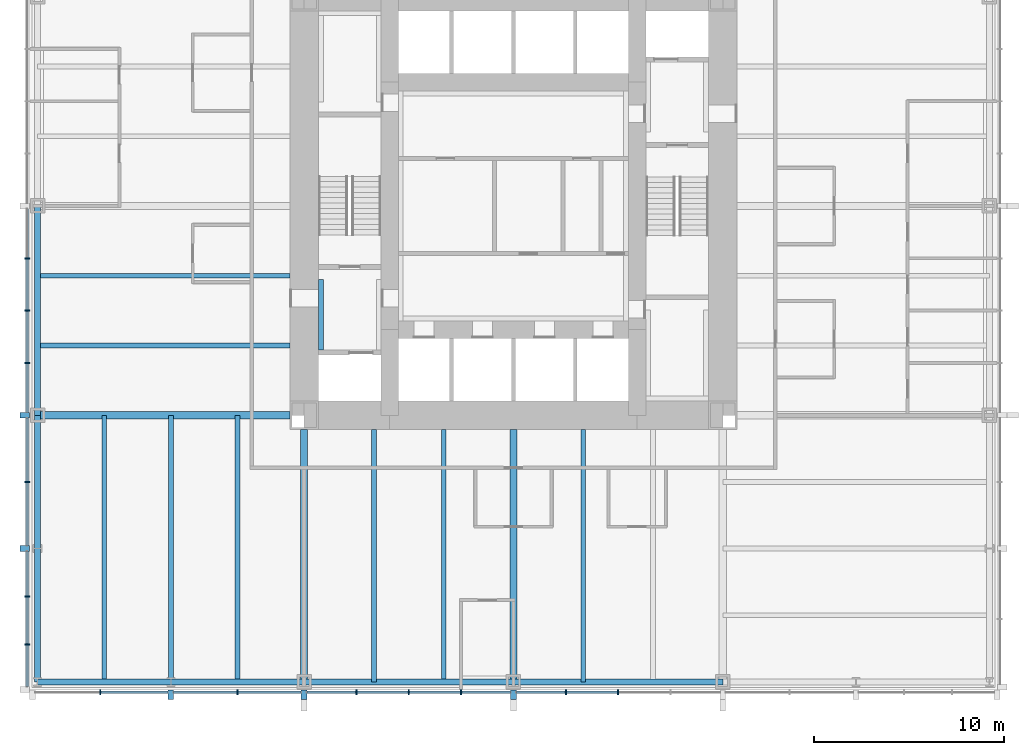
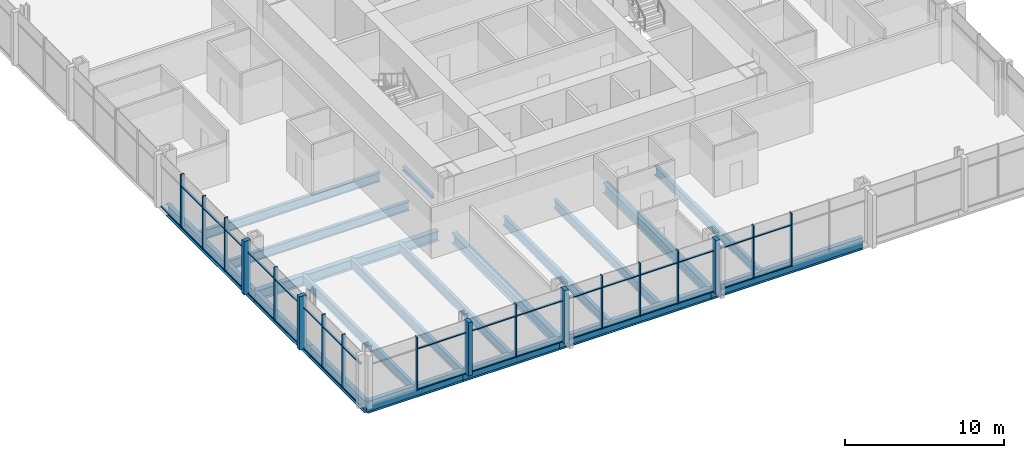
# One storey, part 2 of 12: 53 members, 19 beams, 2 elements without a shape of their own.
"""IFC4 building model written with IfcOpenShell, lengths in metres."""

from ifc_helpers import new_model, si_unit, direction, frame, origin, origin_2d, place, context, subcontext, project, spatial, rectangle, i_section, extrude, material, material_profile, profile_set, type_object, element, aggregate, save


model = new_model("IFC4")

# Units and contexts
model_context = context("Model", 3, precision=1e-05, world=origin(), true_north=direction((0.0, 1.0)))
body_context = subcontext(model_context, "Body", "Model", "MODEL_VIEW")
ifc_project = project(units=[si_unit("LENGTHUNIT", "METRE"), si_unit("AREAUNIT", "SQUARE_METRE"), si_unit("VOLUMEUNIT", "CUBIC_METRE"), si_unit("PLANEANGLEUNIT", "RADIAN"), si_unit("MASSUNIT", "GRAM", prefix="KILO")], contexts=[model_context])

# Site, building, storey
site_placement = place(None, origin())
site = spatial("IfcSite", under=ifc_project, at=site_placement, CompositionType="ELEMENT")
building_placement = place(site_placement, origin())
building = spatial("IfcBuilding", under=site, at=building_placement, Name="Trevanion Tower", CompositionType="ELEMENT")
storey_placement = place(building_placement, frame((0.0, 0.0, 36.5)))
storey = spatial("IfcBuildingStorey", under=building, at=storey_placement, Name="L08", CompositionType="ELEMENT", Elevation=36.5)

# Beams
ifc_material_1 = material(Name="Steel ASTM A992 Grade 50", Category="steel")
ifc_material_profile_1 = material_profile(ifc_material_1, i_section(OverallWidth=0.25390625, OverallDepth=0.700927734375, WebThickness=0.015380859375, FlangeThickness=0.02783203125, at=origin_2d()), Name="W27X129")
ifc_profile_set_1 = profile_set([ifc_material_profile_1], Name="Steel ASTM A992 Grade 50")
beam_type_1 = type_object("IfcBeamType", Name="B3 W27X129", PredefinedType="BEAM", material=ifc_profile_set_1)
for number, where, z_axis, x_axis, name in (
    (1, (-11.75, -3.666748046875, -0.54052734375), (-1.0, 0.0, 0.0), (0.0, -1.0, 0.0), "B3 L08"),
    (2, (-11.75, -7.333251953125, -0.54052734375), (-1.0, 0.0, 0.0), (0.0, -1.0, 0.0), "B3 L08"),
    (3, (-7.333251953125, -11.75, -0.54052734375), (0.0, -1.0, 0.0), (1.0, 0.0, 0.0), "B3 L08"),
    (4, (-3.666748046875, -11.75, -0.54052734375), (0.0, -1.0, 0.0), (1.0, 0.0, 0.0), "B3 L08"),
    (5, (3.666748046875, -11.75, -0.54052734375), (0.0, -1.0, 0.0), (1.0, 0.0, 0.0), "B3 L08"),
):
    element("IfcBeam", number, at=place(storey_placement, frame(where, z_axis=z_axis, x_axis=x_axis)), inside=storey, type_object=beam_type_1, Name=name, PredefinedType="BEAM", context=body_context, shape_type="SweptSolid", body=[
        extrude(i_section(OverallWidth=0.25390625, OverallDepth=0.700927734375, WebThickness=0.015380859375, FlangeThickness=0.02783203125, at=origin_2d()), origin(), (0.0, 0.0, 1.0), 13.25),
    ])
ifc_material_2 = material(Name="Steel ASTM A992 Grade 50", Category="steel")
ifc_material_profile_2 = material_profile(ifc_material_2, i_section(OverallWidth=0.256591796875, OverallDepth=0.693359375, WebThickness=0.014404296875, FlangeThickness=0.023681640625, at=origin_2d()), Name="W27X114")
ifc_profile_set_2 = profile_set([ifc_material_profile_2], Name="Steel ASTM A992 Grade 50")
beam_type_2 = type_object("IfcBeamType", Name="B4 W27X114", PredefinedType="BEAM", material=ifc_profile_set_2)
for number, where, z_axis, x_axis, name in (
    (6, (-14.5, -11.0, -0.53662109375), (0.0, -1.0, 0.0), (1.0, 0.0, 0.0), "B4 L08"),
    (7, (-18.0, -11.0, -0.53662109375), (0.0, -1.0, 0.0), (1.0, 0.0, 0.0), "B4 L08"),
    (8, (-21.5, -11.0, -0.53662109375), (0.0, -1.0, 0.0), (1.0, 0.0, 0.0), "B4 L08"),
):
    element("IfcBeam", number, at=place(storey_placement, frame(where, z_axis=z_axis, x_axis=x_axis)), inside=storey, type_object=beam_type_2, Name=name, PredefinedType="BEAM", context=body_context, shape_type="SweptSolid", body=[
        extrude(i_section(OverallWidth=0.256591796875, OverallDepth=0.693359375, WebThickness=0.014404296875, FlangeThickness=0.023681640625, at=origin_2d()), origin(), (0.0, 0.0, 1.0), 14.0),
    ])

# Curtain wall, members
ifc_material_3 = material(Name="Aluminium and glass", Category="aluminium")
curtain_wall_type = type_object("IfcCurtainWallType", Name="CW1 curtain wall", PredefinedType="USERDEFINED", material=ifc_material_3)
curtain_wall_1_placement = place(storey_placement, origin())
curtain_wall_1 = element("IfcCurtainWall", 9, at=curtain_wall_1_placement, inside=storey, type_object=curtain_wall_type, Name="CW1 L08 2", ObjectType="UNITISED CURTAIN WALL", PredefinedType="USERDEFINED")
ifc_material_4 = material(Name="Aluminium extrusion, anodised bronze", Category="aluminium")
ifc_material_profile_3 = material_profile(ifc_material_4, rectangle(XDim=0.074951171875, YDim=0.25, at=origin_2d()), Name="CW1 mullion")
ifc_profile_set_3 = profile_set([ifc_material_profile_3], Name="Aluminium extrusion, anodised bronze")
member_type_1 = type_object("IfcMemberType", Name="CW1 mullion", PredefinedType="MULLION", material=ifc_profile_set_3)
member_1_placement = place(storey_placement, frame((-25.550048828125, -2.75, -0.18994140625), z_axis=(0.0, 0.0, 1.0), x_axis=(0.0, -1.0, 0.0)))
member_1 = element("IfcMember", 10, at=member_1_placement, type_object=member_type_1, Name="CW1 mullion 10", PredefinedType="MULLION", context=body_context, shape_type="SweptSolid", body=[
    extrude(rectangle(XDim=0.074951171875, YDim=0.25, at=origin_2d()), origin(), (0.0, 0.0, 1.0), 4.099853515625),
])
member_2_placement = place(storey_placement, frame((-25.550048828125, -5.5, -0.18994140625), z_axis=(0.0, 0.0, 1.0), x_axis=(0.0, -1.0, 0.0)))
member_2 = element("IfcMember", 11, at=member_2_placement, type_object=member_type_1, Name="CW1 mullion 11", PredefinedType="MULLION", context=body_context, shape_type="SweptSolid", body=[
    extrude(rectangle(XDim=0.074951171875, YDim=0.25, at=origin_2d()), origin(), (0.0, 0.0, 1.0), 4.099853515625),
])
member_3_placement = place(storey_placement, frame((-25.550048828125, -8.25, -0.18994140625), z_axis=(0.0, 0.0, 1.0), x_axis=(0.0, -1.0, 0.0)))
member_3 = element("IfcMember", 12, at=member_3_placement, type_object=member_type_1, Name="CW1 mullion 12", PredefinedType="MULLION", context=body_context, shape_type="SweptSolid", body=[
    extrude(rectangle(XDim=0.074951171875, YDim=0.25, at=origin_2d()), origin(), (0.0, 0.0, 1.0), 4.099853515625),
])
member_4_placement = place(storey_placement, frame((-25.550048828125, -14.5, -0.18994140625), z_axis=(0.0, 0.0, 1.0), x_axis=(0.0, -1.0, 0.0)))
member_4 = element("IfcMember", 13, at=member_4_placement, type_object=member_type_1, Name="CW1 mullion 14", PredefinedType="MULLION", context=body_context, shape_type="SweptSolid", body=[
    extrude(rectangle(XDim=0.074951171875, YDim=0.25, at=origin_2d()), origin(), (0.0, 0.0, 1.0), 4.099853515625),
])
member_5_placement = place(storey_placement, frame((-25.550048828125, -20.5166015625, -0.18994140625), z_axis=(0.0, 0.0, 1.0), x_axis=(0.0, -1.0, 0.0)))
member_5 = element("IfcMember", 14, at=member_5_placement, type_object=member_type_1, Name="CW1 mullion 16", PredefinedType="MULLION", context=body_context, shape_type="SweptSolid", body=[
    extrude(rectangle(XDim=0.074951171875, YDim=0.25, at=origin_2d()), origin(), (0.0, 0.0, 1.0), 4.099853515625),
])
member_6_placement = place(storey_placement, frame((-25.550048828125, -23.033203125, -0.18994140625), z_axis=(0.0, 0.0, 1.0), x_axis=(0.0, -1.0, 0.0)))
member_6 = element("IfcMember", 15, at=member_6_placement, type_object=member_type_1, Name="CW1 mullion 17", PredefinedType="MULLION", context=body_context, shape_type="SweptSolid", body=[
    extrude(rectangle(XDim=0.074951171875, YDim=0.25, at=origin_2d()), origin(), (0.0, 0.0, 1.0), 4.099853515625),
])

curtain_wall_2_placement = place(storey_placement, origin())
curtain_wall_2 = element("IfcCurtainWall", 16, at=curtain_wall_2_placement, inside=storey, type_object=curtain_wall_type, Name="CW1 L08 3", ObjectType="UNITISED CURTAIN WALL", PredefinedType="USERDEFINED")
member_7_placement = place(storey_placement, frame((-21.7099609375, -25.550048828125, -0.18994140625), z_axis=(0.0, 0.0, 1.0), x_axis=(1.0, 0.0, 0.0)))
member_7 = element("IfcMember", 17, at=member_7_placement, type_object=member_type_1, Name="CW1 mullion 2", PredefinedType="MULLION", context=body_context, shape_type="SweptSolid", body=[
    extrude(rectangle(XDim=0.074951171875, YDim=0.25, at=origin_2d()), origin(), (0.0, 0.0, 1.0), 4.099853515625),
])
member_8_placement = place(storey_placement, frame((-14.5, -25.550048828125, -0.18994140625), z_axis=(0.0, 0.0, 1.0), x_axis=(1.0, 0.0, 0.0)))
member_8 = element("IfcMember", 18, at=member_8_placement, type_object=member_type_1, Name="CW1 mullion 4", PredefinedType="MULLION", context=body_context, shape_type="SweptSolid", body=[
    extrude(rectangle(XDim=0.074951171875, YDim=0.25, at=origin_2d()), origin(), (0.0, 0.0, 1.0), 4.099853515625),
])
member_9_placement = place(storey_placement, frame((-8.25, -25.550048828125, -0.18994140625), z_axis=(0.0, 0.0, 1.0), x_axis=(1.0, 0.0, 0.0)))
member_9 = element("IfcMember", 19, at=member_9_placement, type_object=member_type_1, Name="CW1 mullion 6", PredefinedType="MULLION", context=body_context, shape_type="SweptSolid", body=[
    extrude(rectangle(XDim=0.074951171875, YDim=0.25, at=origin_2d()), origin(), (0.0, 0.0, 1.0), 4.099853515625),
])
member_10_placement = place(storey_placement, frame((-5.5, -25.550048828125, -0.18994140625), z_axis=(0.0, 0.0, 1.0), x_axis=(1.0, 0.0, 0.0)))
member_10 = element("IfcMember", 20, at=member_10_placement, type_object=member_type_1, Name="CW1 mullion 7", PredefinedType="MULLION", context=body_context, shape_type="SweptSolid", body=[
    extrude(rectangle(XDim=0.074951171875, YDim=0.25, at=origin_2d()), origin(), (0.0, 0.0, 1.0), 4.099853515625),
])
member_11_placement = place(storey_placement, frame((-2.75, -25.550048828125, -0.18994140625), z_axis=(0.0, 0.0, 1.0), x_axis=(1.0, 0.0, 0.0)))
member_11 = element("IfcMember", 21, at=member_11_placement, type_object=member_type_1, Name="CW1 mullion 8", PredefinedType="MULLION", context=body_context, shape_type="SweptSolid", body=[
    extrude(rectangle(XDim=0.074951171875, YDim=0.25, at=origin_2d()), origin(), (0.0, 0.0, 1.0), 4.099853515625),
])
member_12_placement = place(storey_placement, frame((2.75, -25.550048828125, -0.18994140625), z_axis=(0.0, 0.0, 1.0), x_axis=(1.0, 0.0, 0.0)))
member_12 = element("IfcMember", 22, at=member_12_placement, type_object=member_type_1, Name="CW1 mullion 10", PredefinedType="MULLION", context=body_context, shape_type="SweptSolid", body=[
    extrude(rectangle(XDim=0.074951171875, YDim=0.25, at=origin_2d()), origin(), (0.0, 0.0, 1.0), 4.099853515625),
])
member_13_placement = place(storey_placement, frame((5.5, -25.550048828125, -0.18994140625), z_axis=(0.0, 0.0, 1.0), x_axis=(1.0, 0.0, 0.0)))
member_13 = element("IfcMember", 23, at=member_13_placement, type_object=member_type_1, Name="CW1 mullion 11", PredefinedType="MULLION", context=body_context, shape_type="SweptSolid", body=[
    extrude(rectangle(XDim=0.074951171875, YDim=0.25, at=origin_2d()), origin(), (0.0, 0.0, 1.0), 4.099853515625),
])

# Member
ifc_material_5 = material(Name="Aluminium extrusion, anodised bronze", Category="aluminium")
ifc_material_profile_4 = material_profile(ifc_material_5, rectangle(XDim=0.300048828125, YDim=0.5, at=origin_2d()), Name="CW1 pier mullion")
ifc_profile_set_4 = profile_set([ifc_material_profile_4], Name="Aluminium extrusion, anodised bronze")
member_type_2 = type_object("IfcMemberType", Name="CW1 pier mullion", PredefinedType="MULLION", material=ifc_profile_set_4)
member_14_placement = place(storey_placement, frame((-25.675048828125, -11.0, -0.18994140625), z_axis=(0.0, 0.0, 1.0), x_axis=(0.0, -1.0, 0.0)))
member_14 = element("IfcMember", 24, at=member_14_placement, type_object=member_type_2, Name="CW1 pier mullion 13", PredefinedType="MULLION", context=body_context, shape_type="SweptSolid", body=[
    extrude(rectangle(XDim=0.300048828125, YDim=0.5, at=origin_2d()), origin(), (0.0, 0.0, 1.0), 4.099853515625),
])

member_15_placement = place(storey_placement, frame((-25.675048828125, -18.0, -0.18994140625), z_axis=(0.0, 0.0, 1.0), x_axis=(0.0, -1.0, 0.0)))
member_15 = element("IfcMember", 25, at=member_15_placement, type_object=member_type_2, Name="CW1 pier mullion 15", PredefinedType="MULLION", context=body_context, shape_type="SweptSolid", body=[
    extrude(rectangle(XDim=0.300048828125, YDim=0.5, at=origin_2d()), origin(), (0.0, 0.0, 1.0), 4.099853515625),
])

member_16_placement = place(storey_placement, frame((-18.0, -25.675048828125, -0.18994140625), z_axis=(0.0, 0.0, 1.0), x_axis=(1.0, 0.0, 0.0)))
member_16 = element("IfcMember", 26, at=member_16_placement, type_object=member_type_2, Name="CW1 pier mullion 3", PredefinedType="MULLION", context=body_context, shape_type="SweptSolid", body=[
    extrude(rectangle(XDim=0.300048828125, YDim=0.5, at=origin_2d()), origin(), (0.0, 0.0, 1.0), 4.099853515625),
])

member_17_placement = place(storey_placement, frame((-11.0, -25.675048828125, -0.18994140625), z_axis=(0.0, 0.0, 1.0), x_axis=(1.0, 0.0, 0.0)))
member_17 = element("IfcMember", 27, at=member_17_placement, type_object=member_type_2, Name="CW1 pier mullion 5", PredefinedType="MULLION", context=body_context, shape_type="SweptSolid", body=[
    extrude(rectangle(XDim=0.300048828125, YDim=0.5, at=origin_2d()), origin(), (0.0, 0.0, 1.0), 4.099853515625),
])

member_18_placement = place(storey_placement, frame((0.0, -25.675048828125, -0.18994140625), z_axis=(0.0, 0.0, 1.0), x_axis=(1.0, 0.0, 0.0)))
member_18 = element("IfcMember", 28, at=member_18_placement, type_object=member_type_2, Name="CW1 pier mullion 9", PredefinedType="MULLION", context=body_context, shape_type="SweptSolid", body=[
    extrude(rectangle(XDim=0.300048828125, YDim=0.5, at=origin_2d()), origin(), (0.0, 0.0, 1.0), 4.099853515625),
])

ifc_material_6 = material(Name="Aluminium extrusion, anodised bronze", Category="aluminium")
ifc_material_profile_5 = material_profile(ifc_material_6, rectangle(XDim=0.14990234375, YDim=0.074951171875, at=origin_2d()), Name="CW1 transom")
ifc_profile_set_5 = profile_set([ifc_material_profile_5], Name="Aluminium extrusion, anodised bronze")
member_type_3 = type_object("IfcMemberType", Name="CW1 transom", PredefinedType="USERDEFINED", material=ifc_profile_set_5)
member_19_placement = place(storey_placement, frame((-25.550048828125, -0.14990234375, -0.152587890625), z_axis=(0.0, -1.0, 0.0), x_axis=(1.0, 0.0, 0.0)))
member_19 = element("IfcMember", 29, at=member_19_placement, type_object=member_type_3, Name="CW1 transom 9.1", ObjectType="TRANSOM", PredefinedType="USERDEFINED", context=body_context, shape_type="SweptSolid", body=[
    extrude(rectangle(XDim=0.14990234375, YDim=0.074951171875, at=origin_2d()), origin(), (0.0, 0.0, 1.0), 2.5625),
])

member_20_placement = place(storey_placement, frame((-25.550048828125, -2.78759765625, -0.152587890625), z_axis=(0.0, -1.0, 0.0), x_axis=(1.0, 0.0, 0.0)))
member_20 = element("IfcMember", 30, at=member_20_placement, type_object=member_type_3, Name="CW1 transom 10.1", ObjectType="TRANSOM", PredefinedType="USERDEFINED", context=body_context, shape_type="SweptSolid", body=[
    extrude(rectangle(XDim=0.14990234375, YDim=0.074951171875, at=origin_2d()), origin(), (0.0, 0.0, 1.0), 2.6748046875),
])

member_21_placement = place(storey_placement, frame((-25.550048828125, -2.78759765625, 2.9599609375), z_axis=(0.0, -1.0, 0.0), x_axis=(1.0, 0.0, 0.0)))
member_21 = element("IfcMember", 31, at=member_21_placement, type_object=member_type_3, Name="CW1 transom 10.2", ObjectType="TRANSOM", PredefinedType="USERDEFINED", context=body_context, shape_type="SweptSolid", body=[
    extrude(rectangle(XDim=0.14990234375, YDim=0.074951171875, at=origin_2d()), origin(), (0.0, 0.0, 1.0), 2.6748046875),
])

member_22_placement = place(storey_placement, frame((-25.550048828125, -5.53759765625, -0.152587890625), z_axis=(0.0, -1.0, 0.0), x_axis=(1.0, 0.0, 0.0)))
member_22 = element("IfcMember", 32, at=member_22_placement, type_object=member_type_3, Name="CW1 transom 11.1", ObjectType="TRANSOM", PredefinedType="USERDEFINED", context=body_context, shape_type="SweptSolid", body=[
    extrude(rectangle(XDim=0.14990234375, YDim=0.074951171875, at=origin_2d()), origin(), (0.0, 0.0, 1.0), 2.6748046875),
])

member_23_placement = place(storey_placement, frame((-25.550048828125, -5.53759765625, 2.9599609375), z_axis=(0.0, -1.0, 0.0), x_axis=(1.0, 0.0, 0.0)))
member_23 = element("IfcMember", 33, at=member_23_placement, type_object=member_type_3, Name="CW1 transom 11.2", ObjectType="TRANSOM", PredefinedType="USERDEFINED", context=body_context, shape_type="SweptSolid", body=[
    extrude(rectangle(XDim=0.14990234375, YDim=0.074951171875, at=origin_2d()), origin(), (0.0, 0.0, 1.0), 2.6748046875),
])

member_24_placement = place(storey_placement, frame((-25.550048828125, -8.28759765625, -0.152587890625), z_axis=(0.0, -1.0, 0.0), x_axis=(1.0, 0.0, 0.0)))
member_24 = element("IfcMember", 34, at=member_24_placement, type_object=member_type_3, Name="CW1 transom 12.1", ObjectType="TRANSOM", PredefinedType="USERDEFINED", context=body_context, shape_type="SweptSolid", body=[
    extrude(rectangle(XDim=0.14990234375, YDim=0.074951171875, at=origin_2d()), origin(), (0.0, 0.0, 1.0), 2.5625),
])

member_25_placement = place(storey_placement, frame((-25.550048828125, -8.28759765625, 2.9599609375), z_axis=(0.0, -1.0, 0.0), x_axis=(1.0, 0.0, 0.0)))
member_25 = element("IfcMember", 35, at=member_25_placement, type_object=member_type_3, Name="CW1 transom 12.2", ObjectType="TRANSOM", PredefinedType="USERDEFINED", context=body_context, shape_type="SweptSolid", body=[
    extrude(rectangle(XDim=0.14990234375, YDim=0.074951171875, at=origin_2d()), origin(), (0.0, 0.0, 1.0), 2.5625),
])

member_26_placement = place(storey_placement, frame((-25.550048828125, -11.14990234375, -0.152587890625), z_axis=(0.0, -1.0, 0.0), x_axis=(1.0, 0.0, 0.0)))
member_26 = element("IfcMember", 36, at=member_26_placement, type_object=member_type_3, Name="CW1 transom 13.1", ObjectType="TRANSOM", PredefinedType="USERDEFINED", context=body_context, shape_type="SweptSolid", body=[
    extrude(rectangle(XDim=0.14990234375, YDim=0.074951171875, at=origin_2d()), origin(), (0.0, 0.0, 1.0), 3.3125),
])

member_27_placement = place(storey_placement, frame((-25.550048828125, -11.14990234375, 2.9599609375), z_axis=(0.0, -1.0, 0.0), x_axis=(1.0, 0.0, 0.0)))
member_27 = element("IfcMember", 37, at=member_27_placement, type_object=member_type_3, Name="CW1 transom 13.2", ObjectType="TRANSOM", PredefinedType="USERDEFINED", context=body_context, shape_type="SweptSolid", body=[
    extrude(rectangle(XDim=0.14990234375, YDim=0.074951171875, at=origin_2d()), origin(), (0.0, 0.0, 1.0), 3.3125),
])

member_28_placement = place(storey_placement, frame((-25.550048828125, -14.53759765625, -0.152587890625), z_axis=(0.0, -1.0, 0.0), x_axis=(1.0, 0.0, 0.0)))
member_28 = element("IfcMember", 38, at=member_28_placement, type_object=member_type_3, Name="CW1 transom 14.1", ObjectType="TRANSOM", PredefinedType="USERDEFINED", context=body_context, shape_type="SweptSolid", body=[
    extrude(rectangle(XDim=0.14990234375, YDim=0.074951171875, at=origin_2d()), origin(), (0.0, 0.0, 1.0), 3.3125),
])

member_29_placement = place(storey_placement, frame((-25.550048828125, -14.53759765625, 2.9599609375), z_axis=(0.0, -1.0, 0.0), x_axis=(1.0, 0.0, 0.0)))
member_29 = element("IfcMember", 39, at=member_29_placement, type_object=member_type_3, Name="CW1 transom 14.2", ObjectType="TRANSOM", PredefinedType="USERDEFINED", context=body_context, shape_type="SweptSolid", body=[
    extrude(rectangle(XDim=0.14990234375, YDim=0.074951171875, at=origin_2d()), origin(), (0.0, 0.0, 1.0), 3.3125),
])

member_30_placement = place(storey_placement, frame((-25.550048828125, -18.14990234375, -0.152587890625), z_axis=(0.0, -1.0, 0.0), x_axis=(1.0, 0.0, 0.0)))
member_30 = element("IfcMember", 40, at=member_30_placement, type_object=member_type_3, Name="CW1 transom 15.1", ObjectType="TRANSOM", PredefinedType="USERDEFINED", context=body_context, shape_type="SweptSolid", body=[
    extrude(rectangle(XDim=0.14990234375, YDim=0.074951171875, at=origin_2d()), origin(), (0.0, 0.0, 1.0), 2.329345703125),
])

member_31_placement = place(storey_placement, frame((-25.550048828125, -18.14990234375, 2.9599609375), z_axis=(0.0, -1.0, 0.0), x_axis=(1.0, 0.0, 0.0)))
member_31 = element("IfcMember", 41, at=member_31_placement, type_object=member_type_3, Name="CW1 transom 15.2", ObjectType="TRANSOM", PredefinedType="USERDEFINED", context=body_context, shape_type="SweptSolid", body=[
    extrude(rectangle(XDim=0.14990234375, YDim=0.074951171875, at=origin_2d()), origin(), (0.0, 0.0, 1.0), 2.329345703125),
])

member_32_placement = place(storey_placement, frame((-25.550048828125, -20.55419921875, -0.152587890625), z_axis=(0.0, -1.0, 0.0), x_axis=(1.0, 0.0, 0.0)))
member_32 = element("IfcMember", 42, at=member_32_placement, type_object=member_type_3, Name="CW1 transom 16.1", ObjectType="TRANSOM", PredefinedType="USERDEFINED", context=body_context, shape_type="SweptSolid", body=[
    extrude(rectangle(XDim=0.14990234375, YDim=0.074951171875, at=origin_2d()), origin(), (0.0, 0.0, 1.0), 2.441650390625),
])

member_33_placement = place(storey_placement, frame((-25.550048828125, -20.55419921875, 2.9599609375), z_axis=(0.0, -1.0, 0.0), x_axis=(1.0, 0.0, 0.0)))
member_33 = element("IfcMember", 43, at=member_33_placement, type_object=member_type_3, Name="CW1 transom 16.2", ObjectType="TRANSOM", PredefinedType="USERDEFINED", context=body_context, shape_type="SweptSolid", body=[
    extrude(rectangle(XDim=0.14990234375, YDim=0.074951171875, at=origin_2d()), origin(), (0.0, 0.0, 1.0), 2.441650390625),
])

member_34_placement = place(storey_placement, frame((-25.550048828125, -23.07080078125, -0.152587890625), z_axis=(0.0, -1.0, 0.0), x_axis=(1.0, 0.0, 0.0)))
member_34 = element("IfcMember", 44, at=member_34_placement, type_object=member_type_3, Name="CW1 transom 17.1", ObjectType="TRANSOM", PredefinedType="USERDEFINED", context=body_context, shape_type="SweptSolid", body=[
    extrude(rectangle(XDim=0.14990234375, YDim=0.074951171875, at=origin_2d()), origin(), (0.0, 0.0, 1.0), 2.17919921875),
])

member_35_placement = place(storey_placement, frame((-25.550048828125, -23.07080078125, 2.9599609375), z_axis=(0.0, -1.0, 0.0), x_axis=(1.0, 0.0, 0.0)))
member_35 = element("IfcMember", 45, at=member_35_placement, type_object=member_type_3, Name="CW1 transom 17.2", ObjectType="TRANSOM", PredefinedType="USERDEFINED", context=body_context, shape_type="SweptSolid", body=[
    extrude(rectangle(XDim=0.14990234375, YDim=0.074951171875, at=origin_2d()), origin(), (0.0, 0.0, 1.0), 2.17919921875),
])

aggregate(curtain_wall_1, [member_1, member_2, member_3, member_14, member_4, member_15, member_5, member_6, member_19, member_20, member_21, member_22, member_23, member_24, member_25, member_26, member_27, member_28, member_29, member_30, member_31, member_32, member_33, member_34, member_35])

member_36_placement = place(storey_placement, frame((-21.672607421875, -25.550048828125, -0.152587890625), z_axis=(1.0, 0.0, 0.0), x_axis=(0.0, 1.0, 0.0)))
member_36 = element("IfcMember", 46, at=member_36_placement, type_object=member_type_3, Name="CW1 transom 2.1", ObjectType="TRANSOM", PredefinedType="USERDEFINED", context=body_context, shape_type="SweptSolid", body=[
    extrude(rectangle(XDim=0.14990234375, YDim=0.074951171875, at=origin_2d()), origin(), (0.0, 0.0, 1.0), 3.522705078125),
])

member_37_placement = place(storey_placement, frame((-21.672607421875, -25.550048828125, 2.9599609375), z_axis=(1.0, 0.0, 0.0), x_axis=(0.0, 1.0, 0.0)))
member_37 = element("IfcMember", 47, at=member_37_placement, type_object=member_type_3, Name="CW1 transom 2.2", ObjectType="TRANSOM", PredefinedType="USERDEFINED", context=body_context, shape_type="SweptSolid", body=[
    extrude(rectangle(XDim=0.14990234375, YDim=0.074951171875, at=origin_2d()), origin(), (0.0, 0.0, 1.0), 3.522705078125),
])

member_38_placement = place(storey_placement, frame((-17.85009765625, -25.550048828125, -0.152587890625), z_axis=(1.0, 0.0, 0.0), x_axis=(0.0, 1.0, 0.0)))
member_38 = element("IfcMember", 48, at=member_38_placement, type_object=member_type_3, Name="CW1 transom 3.1", ObjectType="TRANSOM", PredefinedType="USERDEFINED", context=body_context, shape_type="SweptSolid", body=[
    extrude(rectangle(XDim=0.14990234375, YDim=0.074951171875, at=origin_2d()), origin(), (0.0, 0.0, 1.0), 3.3125),
])

member_39_placement = place(storey_placement, frame((-17.85009765625, -25.550048828125, 2.9599609375), z_axis=(1.0, 0.0, 0.0), x_axis=(0.0, 1.0, 0.0)))
member_39 = element("IfcMember", 49, at=member_39_placement, type_object=member_type_3, Name="CW1 transom 3.2", ObjectType="TRANSOM", PredefinedType="USERDEFINED", context=body_context, shape_type="SweptSolid", body=[
    extrude(rectangle(XDim=0.14990234375, YDim=0.074951171875, at=origin_2d()), origin(), (0.0, 0.0, 1.0), 3.3125),
])

member_40_placement = place(storey_placement, frame((-14.46240234375, -25.550048828125, -0.152587890625), z_axis=(1.0, 0.0, 0.0), x_axis=(0.0, 1.0, 0.0)))
member_40 = element("IfcMember", 50, at=member_40_placement, type_object=member_type_3, Name="CW1 transom 4.1", ObjectType="TRANSOM", PredefinedType="USERDEFINED", context=body_context, shape_type="SweptSolid", body=[
    extrude(rectangle(XDim=0.14990234375, YDim=0.074951171875, at=origin_2d()), origin(), (0.0, 0.0, 1.0), 3.3125),
])

member_41_placement = place(storey_placement, frame((-14.46240234375, -25.550048828125, 2.9599609375), z_axis=(1.0, 0.0, 0.0), x_axis=(0.0, 1.0, 0.0)))
member_41 = element("IfcMember", 51, at=member_41_placement, type_object=member_type_3, Name="CW1 transom 4.2", ObjectType="TRANSOM", PredefinedType="USERDEFINED", context=body_context, shape_type="SweptSolid", body=[
    extrude(rectangle(XDim=0.14990234375, YDim=0.074951171875, at=origin_2d()), origin(), (0.0, 0.0, 1.0), 3.3125),
])

member_42_placement = place(storey_placement, frame((-10.85009765625, -25.550048828125, -0.152587890625), z_axis=(1.0, 0.0, 0.0), x_axis=(0.0, 1.0, 0.0)))
member_42 = element("IfcMember", 52, at=member_42_placement, type_object=member_type_3, Name="CW1 transom 5.1", ObjectType="TRANSOM", PredefinedType="USERDEFINED", context=body_context, shape_type="SweptSolid", body=[
    extrude(rectangle(XDim=0.14990234375, YDim=0.074951171875, at=origin_2d()), origin(), (0.0, 0.0, 1.0), 2.5625),
])

member_43_placement = place(storey_placement, frame((-10.85009765625, -25.550048828125, 2.9599609375), z_axis=(1.0, 0.0, 0.0), x_axis=(0.0, 1.0, 0.0)))
member_43 = element("IfcMember", 53, at=member_43_placement, type_object=member_type_3, Name="CW1 transom 5.2", ObjectType="TRANSOM", PredefinedType="USERDEFINED", context=body_context, shape_type="SweptSolid", body=[
    extrude(rectangle(XDim=0.14990234375, YDim=0.074951171875, at=origin_2d()), origin(), (0.0, 0.0, 1.0), 2.5625),
])

member_44_placement = place(storey_placement, frame((-8.21240234375, -25.550048828125, -0.152587890625), z_axis=(1.0, 0.0, 0.0), x_axis=(0.0, 1.0, 0.0)))
member_44 = element("IfcMember", 54, at=member_44_placement, type_object=member_type_3, Name="CW1 transom 6.1", ObjectType="TRANSOM", PredefinedType="USERDEFINED", context=body_context, shape_type="SweptSolid", body=[
    extrude(rectangle(XDim=0.14990234375, YDim=0.074951171875, at=origin_2d()), origin(), (0.0, 0.0, 1.0), 2.6748046875),
])

member_45_placement = place(storey_placement, frame((-8.21240234375, -25.550048828125, 2.9599609375), z_axis=(1.0, 0.0, 0.0), x_axis=(0.0, 1.0, 0.0)))
member_45 = element("IfcMember", 55, at=member_45_placement, type_object=member_type_3, Name="CW1 transom 6.2", ObjectType="TRANSOM", PredefinedType="USERDEFINED", context=body_context, shape_type="SweptSolid", body=[
    extrude(rectangle(XDim=0.14990234375, YDim=0.074951171875, at=origin_2d()), origin(), (0.0, 0.0, 1.0), 2.6748046875),
])

member_46_placement = place(storey_placement, frame((-5.46240234375, -25.550048828125, -0.152587890625), z_axis=(1.0, 0.0, 0.0), x_axis=(0.0, 1.0, 0.0)))
member_46 = element("IfcMember", 56, at=member_46_placement, type_object=member_type_3, Name="CW1 transom 7.1", ObjectType="TRANSOM", PredefinedType="USERDEFINED", context=body_context, shape_type="SweptSolid", body=[
    extrude(rectangle(XDim=0.14990234375, YDim=0.074951171875, at=origin_2d()), origin(), (0.0, 0.0, 1.0), 2.6748046875),
])

member_47_placement = place(storey_placement, frame((-5.46240234375, -25.550048828125, 2.9599609375), z_axis=(1.0, 0.0, 0.0), x_axis=(0.0, 1.0, 0.0)))
member_47 = element("IfcMember", 57, at=member_47_placement, type_object=member_type_3, Name="CW1 transom 7.2", ObjectType="TRANSOM", PredefinedType="USERDEFINED", context=body_context, shape_type="SweptSolid", body=[
    extrude(rectangle(XDim=0.14990234375, YDim=0.074951171875, at=origin_2d()), origin(), (0.0, 0.0, 1.0), 2.6748046875),
])

member_48_placement = place(storey_placement, frame((-2.71240234375, -25.550048828125, -0.152587890625), z_axis=(1.0, 0.0, 0.0), x_axis=(0.0, 1.0, 0.0)))
member_48 = element("IfcMember", 58, at=member_48_placement, type_object=member_type_3, Name="CW1 transom 8.1", ObjectType="TRANSOM", PredefinedType="USERDEFINED", context=body_context, shape_type="SweptSolid", body=[
    extrude(rectangle(XDim=0.14990234375, YDim=0.074951171875, at=origin_2d()), origin(), (0.0, 0.0, 1.0), 2.5625),
])

member_49_placement = place(storey_placement, frame((-2.71240234375, -25.550048828125, 2.9599609375), z_axis=(1.0, 0.0, 0.0), x_axis=(0.0, 1.0, 0.0)))
member_49 = element("IfcMember", 59, at=member_49_placement, type_object=member_type_3, Name="CW1 transom 8.2", ObjectType="TRANSOM", PredefinedType="USERDEFINED", context=body_context, shape_type="SweptSolid", body=[
    extrude(rectangle(XDim=0.14990234375, YDim=0.074951171875, at=origin_2d()), origin(), (0.0, 0.0, 1.0), 2.5625),
])

member_50_placement = place(storey_placement, frame((0.14990234375, -25.550048828125, -0.152587890625), z_axis=(1.0, 0.0, 0.0), x_axis=(0.0, 1.0, 0.0)))
member_50 = element("IfcMember", 60, at=member_50_placement, type_object=member_type_3, Name="CW1 transom 9.1", ObjectType="TRANSOM", PredefinedType="USERDEFINED", context=body_context, shape_type="SweptSolid", body=[
    extrude(rectangle(XDim=0.14990234375, YDim=0.074951171875, at=origin_2d()), origin(), (0.0, 0.0, 1.0), 2.5625),
])

member_51_placement = place(storey_placement, frame((0.14990234375, -25.550048828125, 2.9599609375), z_axis=(1.0, 0.0, 0.0), x_axis=(0.0, 1.0, 0.0)))
member_51 = element("IfcMember", 61, at=member_51_placement, type_object=member_type_3, Name="CW1 transom 9.2", ObjectType="TRANSOM", PredefinedType="USERDEFINED", context=body_context, shape_type="SweptSolid", body=[
    extrude(rectangle(XDim=0.14990234375, YDim=0.074951171875, at=origin_2d()), origin(), (0.0, 0.0, 1.0), 2.5625),
])

member_52_placement = place(storey_placement, frame((2.78759765625, -25.550048828125, -0.152587890625), z_axis=(1.0, 0.0, 0.0), x_axis=(0.0, 1.0, 0.0)))
member_52 = element("IfcMember", 62, at=member_52_placement, type_object=member_type_3, Name="CW1 transom 10.1", ObjectType="TRANSOM", PredefinedType="USERDEFINED", context=body_context, shape_type="SweptSolid", body=[
    extrude(rectangle(XDim=0.14990234375, YDim=0.074951171875, at=origin_2d()), origin(), (0.0, 0.0, 1.0), 2.6748046875),
])

member_53_placement = place(storey_placement, frame((2.78759765625, -25.550048828125, 2.9599609375), z_axis=(1.0, 0.0, 0.0), x_axis=(0.0, 1.0, 0.0)))
member_53 = element("IfcMember", 63, at=member_53_placement, type_object=member_type_3, Name="CW1 transom 10.2", ObjectType="TRANSOM", PredefinedType="USERDEFINED", context=body_context, shape_type="SweptSolid", body=[
    extrude(rectangle(XDim=0.14990234375, YDim=0.074951171875, at=origin_2d()), origin(), (0.0, 0.0, 1.0), 2.6748046875),
])

aggregate(curtain_wall_2, [member_7, member_16, member_8, member_17, member_9, member_10, member_11, member_18, member_12, member_13, member_36, member_37, member_38, member_39, member_40, member_41, member_42, member_43, member_44, member_45, member_46, member_47, member_48, member_49, member_50, member_51, member_52, member_53])

# Beams
ifc_material_7 = material(Name="Steel ASTM A992 Grade 50", Category="steel")
ifc_material_profile_6 = material_profile(ifc_material_7, i_section(OverallWidth=0.381103515625, OverallDepth=0.77978515625, WebThickness=0.01806640625, FlangeThickness=0.0302734375, at=origin_2d()), Name="W30X191")
ifc_profile_set_6 = profile_set([ifc_material_profile_6], Name="Steel ASTM A992 Grade 50")
beam_type_3 = type_object("IfcBeamType", Name="G2 W30X191", PredefinedType="BEAM", material=ifc_profile_set_6)
for number, where, z_axis, x_axis, name in (
    (64, (-11.75, -11.0, -0.579833984375), (-1.0, 0.0, 0.0), (0.0, -1.0, 0.0), "G2 L08"),
    (65, (-11.0, -11.75, -0.579833984375), (0.0, -1.0, 0.0), (1.0, 0.0, 0.0), "G2 L08"),
    (66, (0.0, -11.75, -0.579833984375), (0.0, -1.0, 0.0), (1.0, 0.0, 0.0), "G2 L08"),
):
    element("IfcBeam", number, at=place(storey_placement, frame(where, z_axis=z_axis, x_axis=x_axis)), inside=storey, type_object=beam_type_3, Name=name, PredefinedType="BEAM", context=body_context, shape_type="SweptSolid", body=[
        extrude(i_section(OverallWidth=0.381103515625, OverallDepth=0.77978515625, WebThickness=0.01806640625, FlangeThickness=0.0302734375, at=origin_2d()), origin(), (0.0, 0.0, 1.0), 13.25),
    ])
ifc_material_8 = material(Name="Steel ASTM A992 Grade 50", Category="steel")
ifc_material_profile_7 = material_profile(ifc_material_8, i_section(OverallWidth=0.256591796875, OverallDepth=0.26416015625, WebThickness=0.011962890625, FlangeThickness=0.01953125, at=origin_2d()), Name="W10X68")
ifc_profile_set_7 = profile_set([ifc_material_profile_7], Name="Steel ASTM A992 Grade 50")
beam_type_4 = type_object("IfcBeamType", Name="LB1 W10X68", PredefinedType="BEAM", material=ifc_profile_set_7)
beam_1_placement = place(storey_placement, frame((-10.12158203125, -7.574951171875, -0.33203125), z_axis=(0.0, 1.0, 0.0), x_axis=(-1.0, 0.0, 0.0)))
element("IfcBeam", 67, at=beam_1_placement, inside=storey, type_object=beam_type_4, Name="LB1 L08", PredefinedType="BEAM", context=body_context, shape_type="SweptSolid", body=[
    extrude(i_section(OverallWidth=0.256591796875, OverallDepth=0.26416015625, WebThickness=0.011962890625, FlangeThickness=0.01953125, at=origin_2d()), origin(), (0.0, 0.0, 1.0), 3.699951171875),
])
ifc_material_9 = material(Name="Steel ASTM A992 Grade 50", Category="steel")
ifc_material_profile_8 = material_profile(ifc_material_9, i_section(OverallWidth=0.307373046875, OverallDepth=0.927001953125, WebThickness=0.01953125, FlangeThickness=0.031982421875, at=origin_2d()), Name="W36X194")
ifc_profile_set_8 = profile_set([ifc_material_profile_8], Name="Steel ASTM A992 Grade 50")
beam_type_5 = type_object("IfcBeamType", Name="SB2 W36X194", PredefinedType="SPANDREL", material=ifc_profile_set_8)
beam_2_placement = place(storey_placement, frame((-25.0, 0.0, -0.653564453125), z_axis=(0.0, -1.0, 0.0), x_axis=(1.0, 0.0, 0.0)))
element("IfcBeam", 68, at=beam_2_placement, inside=storey, type_object=beam_type_5, Name="SB2 L08", PredefinedType="SPANDREL", context=body_context, shape_type="SweptSolid", body=[
    extrude(i_section(OverallWidth=0.307373046875, OverallDepth=0.927001953125, WebThickness=0.01953125, FlangeThickness=0.031982421875, at=origin_2d()), origin(), (0.0, 0.0, 1.0), 11.0),
])
for number, where, z_axis, x_axis, name in (
    (69, (-25.0, -11.0, -0.653564453125), (0.0, -1.0, 0.0), (1.0, 0.0, 0.0), "SB2 L08"),
    (70, (-25.0, -18.0, -0.653564453125), (0.0, -1.0, 0.0), (1.0, 0.0, 0.0), "SB2 L08"),
    (71, (-25.0, -25.0, -0.653564453125), (1.0, 0.0, 0.0), (0.0, 1.0, 0.0), "SB2 L08"),
    (72, (-18.0, -25.0, -0.653564453125), (1.0, 0.0, 0.0), (0.0, 1.0, 0.0), "SB2 L08"),
):
    element("IfcBeam", number, at=place(storey_placement, frame(where, z_axis=z_axis, x_axis=x_axis)), inside=storey, type_object=beam_type_5, Name=name, PredefinedType="SPANDREL", context=body_context, shape_type="SweptSolid", body=[
        extrude(i_section(OverallWidth=0.307373046875, OverallDepth=0.927001953125, WebThickness=0.01953125, FlangeThickness=0.031982421875, at=origin_2d()), origin(), (0.0, 0.0, 1.0), 7.0),
    ])
for number, where, z_axis, x_axis, name in (
    (73, (-11.0, -25.0, -0.653564453125), (1.0, 0.0, 0.0), (0.0, 1.0, 0.0), "SB2 L08"),
    (74, (0.0, -25.0, -0.653564453125), (1.0, 0.0, 0.0), (0.0, 1.0, 0.0), "SB2 L08"),
):
    element("IfcBeam", number, at=place(storey_placement, frame(where, z_axis=z_axis, x_axis=x_axis)), inside=storey, type_object=beam_type_5, Name=name, PredefinedType="SPANDREL", context=body_context, shape_type="SweptSolid", body=[
        extrude(i_section(OverallWidth=0.307373046875, OverallDepth=0.927001953125, WebThickness=0.01953125, FlangeThickness=0.031982421875, at=origin_2d()), origin(), (0.0, 0.0, 1.0), 11.0),
    ])

save(model, "model.ifc")
